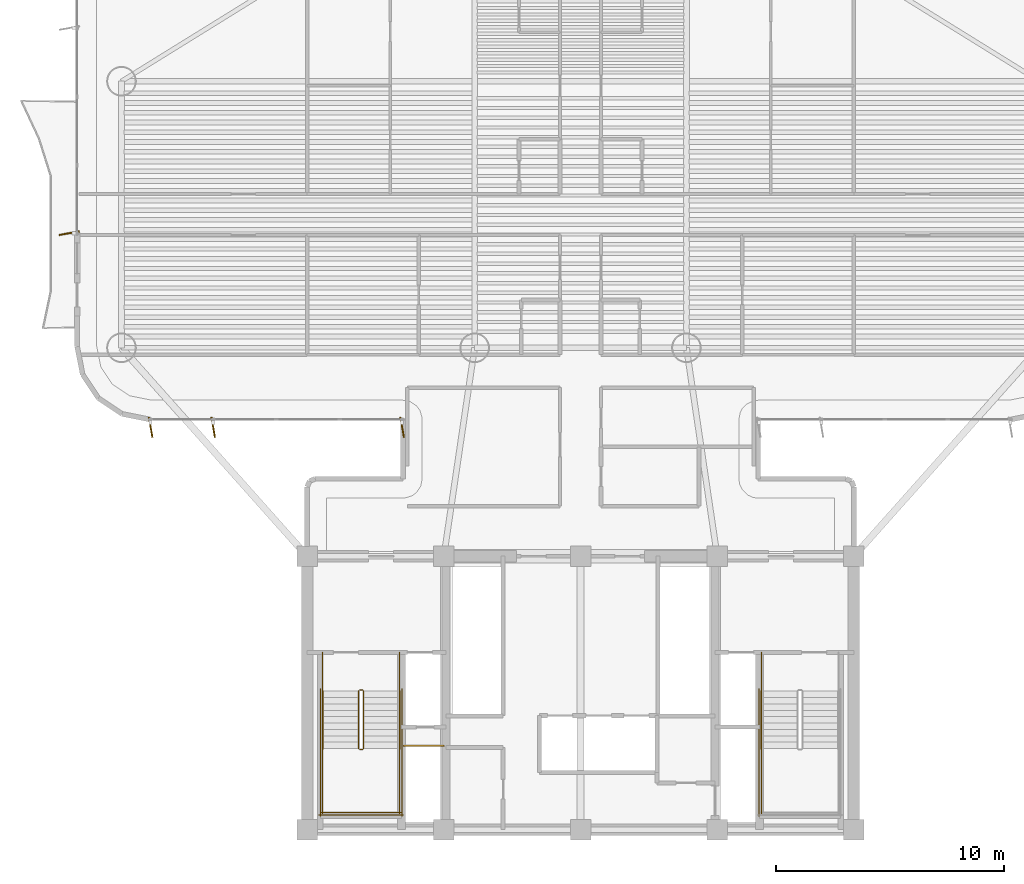
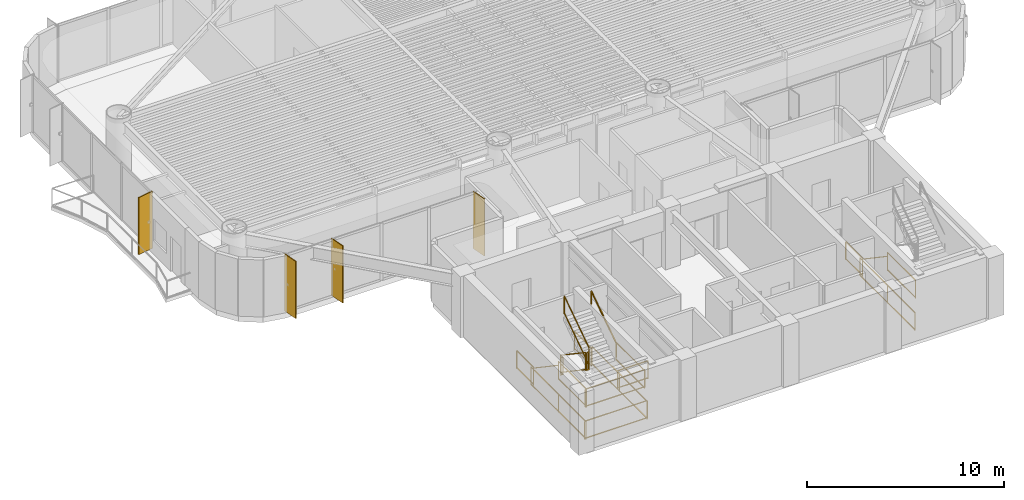
# One storey, part 14 of 17: 19 railings, 4 shading devices.
"""IFC4 building model written with IfcOpenShell, lengths in metres."""

from ifc_helpers import new_model, si_unit, direction, frame, origin, origin_2d, place, context, subcontext, project, spatial, rectangle, extrude, source, transform, mapped, material, layer, layer_set, material_profile, profile_set, type_object, element, save


model = new_model("IFC4")

# Units and contexts
model_context = context("Model", 3, precision=1e-05, world=origin(), true_north=direction((0.0, 1.0)))
body_context = subcontext(model_context, "Body", "Model", "MODEL_VIEW")
ifc_project = project(units=[si_unit("LENGTHUNIT", "METRE"), si_unit("AREAUNIT", "SQUARE_METRE"), si_unit("VOLUMEUNIT", "CUBIC_METRE"), si_unit("PLANEANGLEUNIT", "RADIAN"), si_unit("MASSUNIT", "GRAM", prefix="KILO")], contexts=[model_context])

# Site, building, storey
site_placement = place(None, origin())
site = spatial("IfcSite", under=ifc_project, at=site_placement, CompositionType="ELEMENT")
building_placement = place(site_placement, origin())
building = spatial("IfcBuilding", under=site, at=building_placement, Name="Brelvock Crest Care Tower", CompositionType="ELEMENT")
storey_placement = place(building_placement, frame((0.0, 0.0, 89.820068359375)))
storey = spatial("IfcBuildingStorey", under=building, at=storey_placement, Name="L22", CompositionType="ELEMENT", Elevation=89.820068359375)

# Railings
ifc_material_1 = material(Name="Steel Grade 350", Category="steel")
ifc_layer_1 = layer(ifc_material_1, 0.050048828125, Name="RL-STG1")
ifc_layer_set_1 = layer_set([ifc_layer_1], Name="Steel Grade 350")
railing_type_1 = type_object("IfcRailingType", Name="RL-STG1", PredefinedType="GUARDRAIL", material=ifc_layer_set_1)
railing_1_placement = place(storey_placement, frame((26.260009765625, 12.080078125, 0.18896484375)))
element("IfcRailing", 1, at=railing_1_placement, inside=storey, type_object=railing_type_1, Name="L22 ST-1 stair guard 1", PredefinedType="GUARDRAIL", context=body_context, shape_type="SweptSolid", body=[
    extrude(rectangle(XDim=0.048095703125, YDim=0.048095703125, at=origin_2d()), frame((0.0, -0.001708984375, 1.116943359375), z_axis=(0.0, -0.828861706735, 0.559453546873), x_axis=(1.0, 0.0, 0.0)), (0.0, 0.0, 1.0), 3.036376953125),
    extrude(rectangle(XDim=0.048095703125, YDim=0.048095703125, at=origin_2d()), frame((0.0, -0.001708984375, 0.05615234375), z_axis=(0.0, -0.828861706735, 0.559453546873), x_axis=(1.0, 0.0, 0.0)), (0.0, 0.0, 1.0), 3.036376953125),
    extrude(rectangle(XDim=0.0419921875, YDim=0.0419921875, at=origin_2d()), origin(), (0.0, 0.0, 1.0), 1.08984375),
    extrude(rectangle(XDim=0.0419921875, YDim=0.0419921875, at=origin_2d()), frame((0.0, -2.52001953125, 1.700927734375)), (0.0, 0.0, 1.0), 1.08984375),
])
railing_2_placement = place(storey_placement, frame((26.31005859375, 9.510009765625, 1.889892578125)))
element("IfcRailing", 2, at=railing_2_placement, inside=storey, type_object=railing_type_1, Name="L22 ST-1 stair guard 2", PredefinedType="GUARDRAIL", context=body_context, shape_type="SweptSolid", body=[
    extrude(rectangle(XDim=0.048095703125, YDim=0.048095703125, at=origin_2d()), frame((0.001953125, 0.0, 1.11572265625), z_axis=(1.0, 0.0, 0.0), x_axis=(0.0, 1.0, 0.0)), (0.0, 0.0, 1.0), 0.115966796875),
    extrude(rectangle(XDim=0.048095703125, YDim=0.048095703125, at=origin_2d()), frame((0.001953125, 0.0, 0.054931640625), z_axis=(1.0, 0.0, 0.0), x_axis=(0.0, 1.0, 0.0)), (0.0, 0.0, 1.0), 0.115966796875),
    extrude(rectangle(XDim=0.0419921875, YDim=0.0419921875, at=origin_2d()), origin(), (0.0, 0.0, 1.0), 1.08984375),
    extrude(rectangle(XDim=0.0419921875, YDim=0.0419921875, at=origin_2d()), frame((0.119873046875, 0.0, 0.0)), (0.0, 0.0, 1.0), 1.08984375),
])
for number, where, name in (
    (3, (24.679931640625, 9.56005859375, 1.889892578125), "L22 ST-1 stair guard 3"),
    (4, (28.06005859375, 9.56005859375, 1.889892578125), "L22 ST-1 stair guard 4"),
):
    element("IfcRailing", number, at=place(storey_placement, frame(where)), inside=storey, type_object=railing_type_1, Name=name, PredefinedType="GUARDRAIL", context=body_context, shape_type="SweptSolid", body=[
        extrude(rectangle(XDim=0.048095703125, YDim=0.048095703125, at=origin_2d()), frame((0.0, -0.001953125, 1.11572265625), z_axis=(0.0, -1.0, 0.0), x_axis=(1.0, 0.0, 0.0)), (0.0, 0.0, 1.0), 2.856201171875),
        extrude(rectangle(XDim=0.048095703125, YDim=0.048095703125, at=origin_2d()), frame((0.0, -0.001953125, 0.054931640625), z_axis=(0.0, -1.0, 0.0), x_axis=(1.0, 0.0, 0.0)), (0.0, 0.0, 1.0), 2.856201171875),
        extrude(rectangle(XDim=0.0419921875, YDim=0.0419921875, at=origin_2d()), origin(), (0.0, 0.0, 1.0), 1.08984375),
        extrude(rectangle(XDim=0.0419921875, YDim=0.0419921875, at=origin_2d()), frame((0.0, -2.860107421875, 0.0)), (0.0, 0.0, 1.0), 1.08984375),
    ])
railing_3_placement = place(storey_placement, frame((24.6298828125, 6.75, 1.889892578125)))
element("IfcRailing", 5, at=railing_3_placement, inside=storey, type_object=railing_type_1, Name="L22 ST-1 stair guard 5", PredefinedType="GUARDRAIL", context=body_context, shape_type="SweptSolid", body=[
    extrude(rectangle(XDim=0.048095703125, YDim=0.048095703125, at=origin_2d()), frame((0.001953125, 0.0, 1.11572265625), z_axis=(1.0, 0.0, 0.0), x_axis=(0.0, 1.0, 0.0)), (0.0, 0.0, 1.0), 3.476318359375),
    extrude(rectangle(XDim=0.048095703125, YDim=0.048095703125, at=origin_2d()), frame((0.001953125, 0.0, 0.054931640625), z_axis=(1.0, 0.0, 0.0), x_axis=(0.0, 1.0, 0.0)), (0.0, 0.0, 1.0), 3.476318359375),
    extrude(rectangle(XDim=0.0419921875, YDim=0.0419921875, at=origin_2d()), origin(), (0.0, 0.0, 1.0), 1.08984375),
    extrude(rectangle(XDim=0.0419921875, YDim=0.0419921875, at=origin_2d()), frame((3.480224609375, 0.0, 0.0)), (0.0, 0.0, 1.0), 1.08984375),
])
railing_4_placement = place(storey_placement, frame((26.47998046875, 9.56005859375, 2.078857421875)))
element("IfcRailing", 6, at=railing_4_placement, inside=storey, type_object=railing_type_1, Name="L22 ST-1 stair guard 6", PredefinedType="GUARDRAIL", context=body_context, shape_type="SweptSolid", body=[
    extrude(rectangle(XDim=0.048095703125, YDim=0.048095703125, at=origin_2d()), frame((0.0, 0.001708984375, 1.116943359375), z_axis=(0.0, 0.82882447046, 0.559508710537), x_axis=(-1.0, 0.0, 0.0)), (0.0, 0.0, 1.0), 3.036376953125),
    extrude(rectangle(XDim=0.048095703125, YDim=0.048095703125, at=origin_2d()), frame((0.0, 0.001708984375, 0.05615234375), z_axis=(0.0, 0.82882447046, 0.559508710537), x_axis=(-1.0, 0.0, 0.0)), (0.0, 0.0, 1.0), 3.036376953125),
    extrude(rectangle(XDim=0.0419921875, YDim=0.0419921875, at=origin_2d()), origin(), (0.0, 0.0, 1.0), 1.08984375),
    extrude(rectangle(XDim=0.0419921875, YDim=0.0419921875, at=origin_2d()), frame((0.0, 2.52001953125, 1.701171875)), (0.0, 0.0, 1.0), 1.08984375),
])
railing_5_placement = place(storey_placement, frame((26.31005859375, 12.1298828125, 0.0)))
element("IfcRailing", 7, at=railing_5_placement, inside=storey, type_object=railing_type_1, Name="L22 ST-1 stair guard 7", PredefinedType="GUARDRAIL", context=body_context, shape_type="SweptSolid", body=[
    extrude(rectangle(XDim=0.048095703125, YDim=0.048095703125, at=origin_2d()), frame((0.001953125, 0.0, 1.11572265625), z_axis=(1.0, 0.0, 0.0), x_axis=(0.0, 1.0, 0.0)), (0.0, 0.0, 1.0), 0.115966796875),
    extrude(rectangle(XDim=0.048095703125, YDim=0.048095703125, at=origin_2d()), frame((0.001953125, 0.0, 0.054931640625), z_axis=(1.0, 0.0, 0.0), x_axis=(0.0, 1.0, 0.0)), (0.0, 0.0, 1.0), 0.115966796875),
    extrude(rectangle(XDim=0.0419921875, YDim=0.0419921875, at=origin_2d()), origin(), (0.0, 0.0, 1.0), 1.08984375),
    extrude(rectangle(XDim=0.0419921875, YDim=0.0419921875, at=origin_2d()), frame((0.119873046875, 0.0, 0.0)), (0.0, 0.0, 1.0), 1.08984375),
])
for number, where, name in (
    (8, (24.679931640625, 13.780029296875, 0.0), "L22 ST-1 stair guard 8"),
    (9, (28.06005859375, 13.780029296875, 0.0), "L22 ST-1 stair guard 9"),
):
    element("IfcRailing", number, at=place(storey_placement, frame(where)), inside=storey, type_object=railing_type_1, Name=name, PredefinedType="GUARDRAIL", context=body_context, shape_type="SweptSolid", body=[
        extrude(rectangle(XDim=0.048095703125, YDim=0.048095703125, at=origin_2d()), frame((0.0, -0.001953125, 1.11572265625), z_axis=(0.0, -1.0, 0.0), x_axis=(1.0, 0.0, 0.0)), (0.0, 0.0, 1.0), 1.696044921875),
        extrude(rectangle(XDim=0.048095703125, YDim=0.048095703125, at=origin_2d()), frame((0.0, -0.001953125, 0.054931640625), z_axis=(0.0, -1.0, 0.0), x_axis=(1.0, 0.0, 0.0)), (0.0, 0.0, 1.0), 1.696044921875),
        extrude(rectangle(XDim=0.0419921875, YDim=0.0419921875, at=origin_2d()), origin(), (0.0, 0.0, 1.0), 1.08984375),
        extrude(rectangle(XDim=0.0419921875, YDim=0.0419921875, at=origin_2d()), frame((0.0, -1.699951171875, 0.0)), (0.0, 0.0, 1.0), 1.08984375),
    ])
for number, where, name in (
    (10, (24.580078125, 12.179931640625, 0.0), "L22 ST-1 stair guard 10"),
    (11, (28.159912109375, 12.179931640625, 0.0), "L22 ST-1 stair guard 11"),
):
    element("IfcRailing", number, at=place(storey_placement, frame(where)), inside=storey, type_object=railing_type_1, Name=name, PredefinedType="GUARDRAIL", context=body_context, shape_type="SweptSolid", body=[
        extrude(rectangle(XDim=0.048095703125, YDim=0.048095703125, at=origin_2d()), frame((0.0, -0.001953125, 1.11572265625), z_axis=(0.0, -1.0, 0.0), x_axis=(1.0, 0.0, 0.0)), (0.0, 0.0, 1.0), 5.575927734375),
        extrude(rectangle(XDim=0.048095703125, YDim=0.048095703125, at=origin_2d()), frame((0.0, -0.001953125, 0.054931640625), z_axis=(0.0, -1.0, 0.0), x_axis=(1.0, 0.0, 0.0)), (0.0, 0.0, 1.0), 5.575927734375),
        extrude(rectangle(XDim=0.0419921875, YDim=0.0419921875, at=origin_2d()), origin(), (0.0, 0.0, 1.0), 1.08984375),
        extrude(rectangle(XDim=0.0419921875, YDim=0.0419921875, at=origin_2d()), frame((0.0, -2.7900390625, 0.0)), (0.0, 0.0, 1.0), 1.08984375),
        extrude(rectangle(XDim=0.0419921875, YDim=0.0419921875, at=origin_2d()), frame((0.0, -5.579833984375, 0.0)), (0.0, 0.0, 1.0), 1.08984375),
    ])
railing_6_placement = place(storey_placement, frame((24.530029296875, 6.64990234375, 0.0)))
element("IfcRailing", 12, at=railing_6_placement, inside=storey, type_object=railing_type_1, Name="L22 ST-1 stair guard 12", PredefinedType="GUARDRAIL", context=body_context, shape_type="SweptSolid", body=[
    extrude(rectangle(XDim=0.048095703125, YDim=0.048095703125, at=origin_2d()), frame((0.001953125, 0.0, 1.11572265625), z_axis=(1.0, 0.0, 0.0), x_axis=(0.0, 1.0, 0.0)), (0.0, 0.0, 1.0), 3.676025390625),
    extrude(rectangle(XDim=0.048095703125, YDim=0.048095703125, at=origin_2d()), frame((0.001953125, 0.0, 0.054931640625), z_axis=(1.0, 0.0, 0.0), x_axis=(0.0, 1.0, 0.0)), (0.0, 0.0, 1.0), 3.676025390625),
    extrude(rectangle(XDim=0.0419921875, YDim=0.0419921875, at=origin_2d()), origin(), (0.0, 0.0, 1.0), 1.08984375),
    extrude(rectangle(XDim=0.0419921875, YDim=0.0419921875, at=origin_2d()), frame((3.679931640625, 0.0, 0.0)), (0.0, 0.0, 1.0), 1.08984375),
])
railing_7_placement = place(storey_placement, frame((43.93994140625, 9.56005859375, 1.889892578125)))
element("IfcRailing", 13, at=railing_7_placement, inside=storey, type_object=railing_type_1, Name="L22 ST-2 stair guard 3", PredefinedType="GUARDRAIL", context=body_context, shape_type="SweptSolid", body=[
    extrude(rectangle(XDim=0.048095703125, YDim=0.048095703125, at=origin_2d()), frame((0.0, -0.001953125, 1.11572265625), z_axis=(0.0, -1.0, 0.0), x_axis=(1.0, 0.0, 0.0)), (0.0, 0.0, 1.0), 2.856201171875),
    extrude(rectangle(XDim=0.048095703125, YDim=0.048095703125, at=origin_2d()), frame((0.0, -0.001953125, 0.054931640625), z_axis=(0.0, -1.0, 0.0), x_axis=(1.0, 0.0, 0.0)), (0.0, 0.0, 1.0), 2.856201171875),
    extrude(rectangle(XDim=0.0419921875, YDim=0.0419921875, at=origin_2d()), origin(), (0.0, 0.0, 1.0), 1.08984375),
    extrude(rectangle(XDim=0.0419921875, YDim=0.0419921875, at=origin_2d()), frame((0.0, -2.860107421875, 0.0)), (0.0, 0.0, 1.0), 1.08984375),
])
railing_8_placement = place(storey_placement, frame((43.93994140625, 13.780029296875, 0.0)))
element("IfcRailing", 14, at=railing_8_placement, inside=storey, type_object=railing_type_1, Name="L22 ST-2 stair guard 8", PredefinedType="GUARDRAIL", context=body_context, shape_type="SweptSolid", body=[
    extrude(rectangle(XDim=0.048095703125, YDim=0.048095703125, at=origin_2d()), frame((0.0, -0.001953125, 1.11572265625), z_axis=(0.0, -1.0, 0.0), x_axis=(1.0, 0.0, 0.0)), (0.0, 0.0, 1.0), 1.696044921875),
    extrude(rectangle(XDim=0.048095703125, YDim=0.048095703125, at=origin_2d()), frame((0.0, -0.001953125, 0.054931640625), z_axis=(0.0, -1.0, 0.0), x_axis=(1.0, 0.0, 0.0)), (0.0, 0.0, 1.0), 1.696044921875),
    extrude(rectangle(XDim=0.0419921875, YDim=0.0419921875, at=origin_2d()), origin(), (0.0, 0.0, 1.0), 1.08984375),
    extrude(rectangle(XDim=0.0419921875, YDim=0.0419921875, at=origin_2d()), frame((0.0, -1.699951171875, 0.0)), (0.0, 0.0, 1.0), 1.08984375),
])
railing_9_placement = place(storey_placement, frame((43.840087890625, 12.179931640625, 0.0)))
element("IfcRailing", 15, at=railing_9_placement, inside=storey, type_object=railing_type_1, Name="L22 ST-2 stair guard 10", PredefinedType="GUARDRAIL", context=body_context, shape_type="SweptSolid", body=[
    extrude(rectangle(XDim=0.048095703125, YDim=0.048095703125, at=origin_2d()), frame((0.0, -0.001953125, 1.11572265625), z_axis=(0.0, -1.0, 0.0), x_axis=(1.0, 0.0, 0.0)), (0.0, 0.0, 1.0), 5.575927734375),
    extrude(rectangle(XDim=0.048095703125, YDim=0.048095703125, at=origin_2d()), frame((0.0, -0.001953125, 0.054931640625), z_axis=(0.0, -1.0, 0.0), x_axis=(1.0, 0.0, 0.0)), (0.0, 0.0, 1.0), 5.575927734375),
    extrude(rectangle(XDim=0.0419921875, YDim=0.0419921875, at=origin_2d()), origin(), (0.0, 0.0, 1.0), 1.08984375),
    extrude(rectangle(XDim=0.0419921875, YDim=0.0419921875, at=origin_2d()), frame((0.0, -2.7900390625, 0.0)), (0.0, 0.0, 1.0), 1.08984375),
    extrude(rectangle(XDim=0.0419921875, YDim=0.0419921875, at=origin_2d()), frame((0.0, -5.579833984375, 0.0)), (0.0, 0.0, 1.0), 1.08984375),
])
railing_10_placement = place(storey_placement, frame((28.219970703125, 9.679931640625, 0.0)))
element("IfcRailing", 16, at=railing_10_placement, inside=storey, type_object=railing_type_1, Name="L22 Fire Riser Threshold Guard", PredefinedType="GUARDRAIL", context=body_context, shape_type="SweptSolid", body=[
    extrude(rectangle(XDim=0.048095703125, YDim=0.048095703125, at=origin_2d()), frame((0.001953125, 0.0, 1.11572265625), z_axis=(1.0, 0.0, 0.0), x_axis=(0.0, 1.0, 0.0)), (0.0, 0.0, 1.0), 1.776123046875),
    extrude(rectangle(XDim=0.048095703125, YDim=0.048095703125, at=origin_2d()), frame((0.001953125, 0.0, 0.054931640625), z_axis=(1.0, 0.0, 0.0), x_axis=(0.0, 1.0, 0.0)), (0.0, 0.0, 1.0), 1.776123046875),
    extrude(rectangle(XDim=0.0419921875, YDim=0.0419921875, at=origin_2d()), origin(), (0.0, 0.0, 1.0), 1.08984375),
    extrude(rectangle(XDim=0.0419921875, YDim=0.0419921875, at=origin_2d()), frame((1.780029296875, 0.0, 0.0)), (0.0, 0.0, 1.0), 1.08984375),
])
ifc_layer_2 = layer(ifc_material_1, 0.048095703125, Name="RL-STH1")
ifc_layer_set_2 = layer_set([ifc_layer_2], Name="Steel Grade 350")
railing_type_2 = type_object("IfcRailingType", Name="RL-STH1", PredefinedType="HANDRAIL", material=ifc_layer_set_2)
railing_11_placement = place(storey_placement, frame((24.679931640625, 12.080078125, 0.18896484375)))
element("IfcRailing", 17, at=railing_11_placement, inside=storey, type_object=railing_type_2, Name="L22 ST-1 stair handrail 1", PredefinedType="HANDRAIL", context=body_context, shape_type="SweptSolid", body=[
    extrude(rectangle(XDim=0.048095703125, YDim=0.048095703125, at=origin_2d()), frame((0.0, -0.001708984375, 0.876953125), z_axis=(0.0, -0.828861706735, 0.559453546873), x_axis=(1.0, 0.0, 0.0)), (0.0, 0.0, 1.0), 3.036376953125),
    extrude(rectangle(XDim=0.0419921875, YDim=0.0419921875, at=origin_2d()), origin(), (0.0, 0.0, 1.0), 0.849853515625),
    extrude(rectangle(XDim=0.0419921875, YDim=0.0419921875, at=origin_2d()), frame((0.0, -2.52001953125, 1.700927734375)), (0.0, 0.0, 1.0), 0.849853515625),
])
railing_12_placement = place(storey_placement, frame((28.06005859375, 9.56005859375, 2.078857421875)))
element("IfcRailing", 18, at=railing_12_placement, inside=storey, type_object=railing_type_2, Name="L22 ST-1 stair handrail 2", PredefinedType="HANDRAIL", context=body_context, shape_type="SweptSolid", body=[
    extrude(rectangle(XDim=0.048095703125, YDim=0.048095703125, at=origin_2d()), frame((0.0, 0.001708984375, 0.876953125), z_axis=(0.0, 0.82882447046, 0.559508710537), x_axis=(-1.0, 0.0, 0.0)), (0.0, 0.0, 1.0), 3.036376953125),
    extrude(rectangle(XDim=0.0419921875, YDim=0.0419921875, at=origin_2d()), origin(), (0.0, 0.0, 1.0), 0.849853515625),
    extrude(rectangle(XDim=0.0419921875, YDim=0.0419921875, at=origin_2d()), frame((0.0, 2.52001953125, 1.701171875)), (0.0, 0.0, 1.0), 0.849853515625),
])
railing_13_placement = place(storey_placement, frame((43.93994140625, 12.080078125, 0.18896484375)))
element("IfcRailing", 19, at=railing_13_placement, inside=storey, type_object=railing_type_2, Name="L22 ST-2 stair handrail 1", PredefinedType="HANDRAIL", context=body_context, shape_type="SweptSolid", body=[
    extrude(rectangle(XDim=0.048095703125, YDim=0.048095703125, at=origin_2d()), frame((0.0, -0.001708984375, 0.876953125), z_axis=(0.0, -0.828861706735, 0.559453546873), x_axis=(1.0, 0.0, 0.0)), (0.0, 0.0, 1.0), 3.036376953125),
    extrude(rectangle(XDim=0.0419921875, YDim=0.0419921875, at=origin_2d()), origin(), (0.0, 0.0, 1.0), 0.849853515625),
    extrude(rectangle(XDim=0.0419921875, YDim=0.0419921875, at=origin_2d()), frame((0.0, -2.52001953125, 1.700927734375)), (0.0, 0.0, 1.0), 0.849853515625),
])

# Shading devices
ifc_material_2 = material(Name="Aluminium 6063-T6", Category="aluminium")
ifc_material_profile = material_profile(ifc_material_2, rectangle(XDim=0.054931640625, YDim=0.89990234375, at=origin_2d()), Name="FIN55x900")
ifc_profile_set = profile_set([ifc_material_profile], Name="Aluminium 6063-T6")
shading_device_type = type_object("IfcShadingDeviceType", Name="SHD-FIN1", PredefinedType="USERDEFINED", material=ifc_profile_set)
shared_shape = source(origin(), body_context, "Body", "SweptSolid", [
    extrude(rectangle(XDim=0.054931640625, YDim=0.89990234375, at=origin_2d()), origin(), (0.0, 0.0, 1.0), 3.530029296875),
])
for number, where, z_axis, x_axis, name in (
    (20, (28.169921875, 23.659912109375, 0.0), (0.0, 0.0, 1.0), (-0.984807753012, -0.173648177667, 0.0), "L22 Vertical Sunshade Fin E12-01"),
    (21, (19.875, 23.659912109375, 0.0), (0.0, 0.0, 1.0), (-0.984807753012, -0.173648177667, 0.0), "L22 Vertical Sunshade Fin E12-04"),
    (22, (17.1298828125, 23.659912109375, 0.0), (0.0, 0.0, 1.0), (-0.984807753012, -0.173648177667, 0.0), "L22 Vertical Sunshade Fin E12-05"),
    (23, (13.56005859375, 32.179931640625, 0.0), (0.0, 0.0, 1.0), (-0.173648177667, 0.984807753012, 0.0), "L22 Vertical Sunshade Fin E17B-01"),
):
    element("IfcShadingDevice", number, at=place(storey_placement, frame(where, z_axis=z_axis, x_axis=x_axis)), inside=storey, type_object=shading_device_type, Name=name, ObjectType="FIN", PredefinedType="USERDEFINED", context=body_context, shape_type="MappedRepresentation", body=[
        mapped(shared_shape, transform((0.0, 0.0, 0.0), x_axis=(1.0, 0.0, 0.0), y_axis=(0.0, 1.0, 0.0), z_axis=(0.0, 0.0, 1.0), scale=1.0)),
    ])

save(model, "model.ifc")
